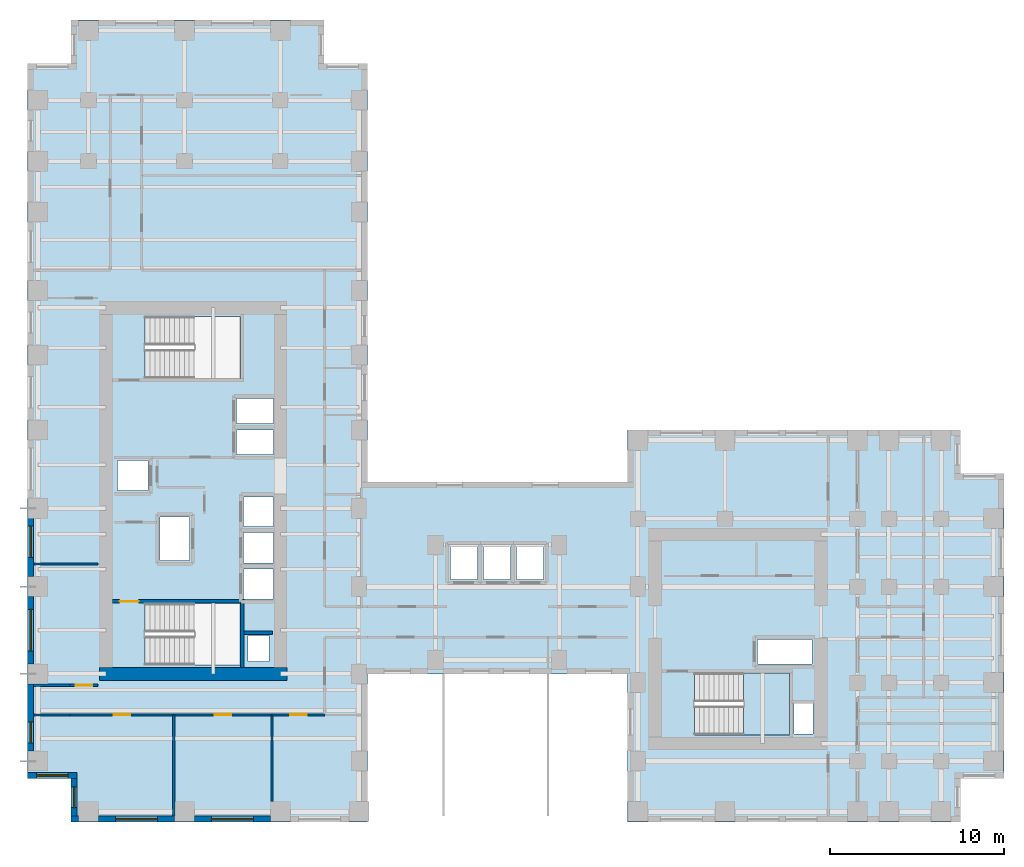
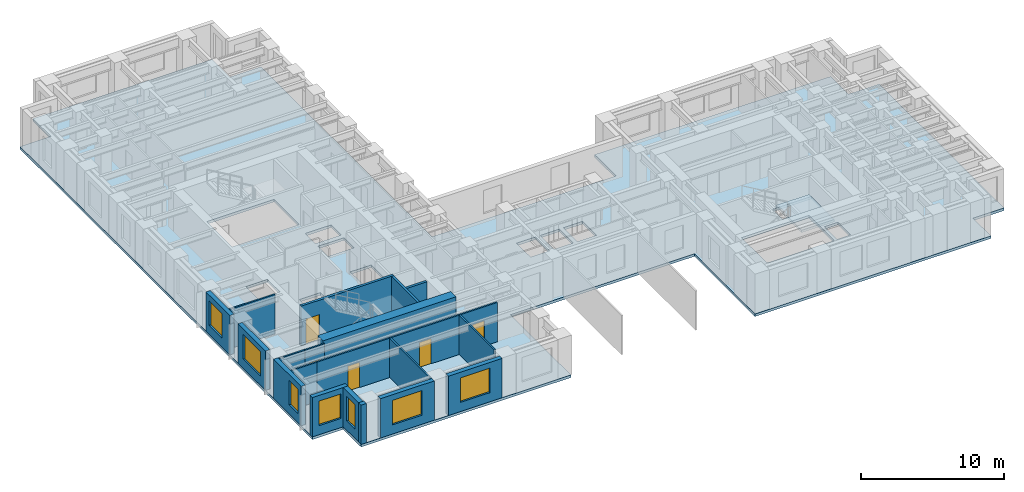
# One storey, part 3 of 11: 21 walls, 7 windows, 5 doors, 2 slabs, 12 openings, 1 element without a shape of its own.
"""IFC4 building model written with IfcOpenShell, lengths in metres."""

from ifc_helpers import new_model, si_unit, direction, frame, frame_2d, origin, place, context, subcontext, project, spatial, polyline, rectangle, outline, extrude, source, transform, mapped, material, layer, layer_set, type_object, element, fill, aggregate, save


model = new_model("IFC4")

# Units and contexts
model_context = context("Model", 3, precision=1e-05, world=origin(), true_north=direction((0.0, 1.0)))
body_context = subcontext(model_context, "Body", "Model", "MODEL_VIEW")
ifc_project = project(units=[si_unit("LENGTHUNIT", "METRE"), si_unit("AREAUNIT", "SQUARE_METRE"), si_unit("VOLUMEUNIT", "CUBIC_METRE"), si_unit("PLANEANGLEUNIT", "RADIAN"), si_unit("MASSUNIT", "GRAM", prefix="KILO")], contexts=[model_context])

# Site, building, storey
site_placement = place(None, origin())
site = spatial("IfcSite", under=ifc_project, at=site_placement, CompositionType="ELEMENT")
building_placement = place(site_placement, origin())
building = spatial("IfcBuilding", under=site, at=building_placement, Name="Kharzan Plaza Tower", CompositionType="ELEMENT")
storey_placement = place(building_placement, frame((0.0, 0.0, 120.60009765625)))
storey = spatial("IfcBuildingStorey", under=building, at=storey_placement, Name="L32", CompositionType="ELEMENT", Elevation=120.60009765625)

# Slab
ifc_material_1 = material(Name="Concrete C40/50", Category="concrete")
ifc_layer_1 = layer(ifc_material_1, 0.219970703125)
ifc_layer_set_1 = layer_set([ifc_layer_1], Name="Concrete C40/50")
slab_type_1 = type_object("IfcSlabType", Name="SL-FLOOR-220", PredefinedType="FLOOR", material=ifc_layer_set_1)
slab_1_placement = place(storey_placement, frame((0.0, 0.0, -0.22021484375)))
element("IfcSlab", 1, at=slab_1_placement, inside=storey, type_object=slab_type_1, Name="L32 Composite Structural Floor Slab 220 mm", PredefinedType="FLOOR", context=body_context, shape_type="SweptSolid", body=[
    extrude(outline(polyline([(34.39990234375, 19.5), (19.5, 19.5), (19.5, 43.5), (17.0, 43.5), (17.0, 46.0), (2.5, 46.0), (2.5, 43.5), (0.0, 43.5), (0.0, 2.5), (2.5, 2.5), (2.5, 0.0), (19.5, 0.0), (19.5, 8.5), (34.39990234375, 8.5), (34.39990234375, 0.0), (53.5, 0.0), (53.5, 2.5), (56.0, 2.5), (56.0, 20.0), (53.5, 20.0), (53.5, 22.5), (34.39990234375, 22.5), (34.39990234375, 19.5)]), holes=[polyline([(12.199951171875, 9.0), (12.199951171875, 12.550048828125), (6.75, 12.550048828125), (6.75, 9.0), (12.199951171875, 9.0)]), polyline([(14.10009765625, 12.800048828125), (14.10009765625, 14.530029296875), (12.39990234375, 14.530029296875), (12.39990234375, 12.800048828125), (14.10009765625, 12.800048828125)]), polyline([(14.10009765625, 14.8701171875), (14.10009765625, 16.60009765625), (12.39990234375, 16.60009765625), (12.39990234375, 14.8701171875), (14.10009765625, 14.8701171875)]), polyline([(9.300048828125, 15.0), (9.300048828125, 17.5), (7.60009765625, 17.5), (7.60009765625, 15.0), (9.300048828125, 15.0)]), polyline([(6.89990234375, 19.010009765625), (6.89990234375, 20.72998046875), (5.14990234375, 20.72998046875), (5.14990234375, 19.010009765625), (6.89990234375, 19.010009765625)]), polyline([(14.10009765625, 21.070068359375), (14.10009765625, 22.489990234375), (12.0, 22.489990234375), (12.0, 21.070068359375), (14.10009765625, 21.070068359375)]), polyline([(14.10009765625, 22.8701171875), (14.10009765625, 24.2900390625), (12.0, 24.2900390625), (12.0, 22.8701171875), (14.10009765625, 22.8701171875)]), polyline([(12.199951171875, 25.449951171875), (12.199951171875, 29.0), (6.75, 29.0), (6.75, 25.449951171875), (12.199951171875, 25.449951171875)]), polyline([(45.050048828125, 5.050048828125), (45.050048828125, 6.800048828125), (43.949951171875, 6.800048828125), (43.949951171875, 5.050048828125), (45.050048828125, 5.050048828125)]), polyline([(43.699951171875, 5.0), (43.699951171875, 8.550048828125), (38.25, 8.550048828125), (38.25, 5.0), (43.699951171875, 5.0)]), polyline([(45.0, 9.070068359375), (45.0, 10.469970703125), (41.85009765625, 10.469970703125), (41.85009765625, 9.070068359375), (45.0, 9.070068359375)]), polyline([(13.85009765625, 9.199951171875), (13.85009765625, 10.699951171875), (12.64990234375, 10.699951171875), (12.64990234375, 9.199951171875), (13.85009765625, 9.199951171875)]), polyline([(25.800048828125, 13.89990234375), (25.800048828125, 15.85009765625), (24.25, 15.85009765625), (24.25, 13.89990234375), (25.800048828125, 13.89990234375)]), polyline([(27.699951171875, 13.89990234375), (27.699951171875, 15.85009765625), (26.14990234375, 15.85009765625), (26.14990234375, 13.89990234375), (27.699951171875, 13.89990234375)]), polyline([(29.60009765625, 13.89990234375), (29.60009765625, 15.85009765625), (28.050048828125, 15.85009765625), (28.050048828125, 13.89990234375), (29.60009765625, 13.89990234375)]), polyline([(14.10009765625, 16.93994140625), (14.10009765625, 18.64990234375), (12.39990234375, 18.64990234375), (12.39990234375, 16.93994140625), (14.10009765625, 16.93994140625)])]), origin(), (0.0, 0.0, 1.0), 0.22021484375),
])

# Stair, slab
stair_type = type_object("IfcStairType", Name="STR-ST-3", PredefinedType="HALF_TURN_STAIR", material=ifc_material_1)
stair_placement = place(storey_placement, origin())
stair = element("IfcStair", 2, at=stair_placement, inside=storey, type_object=stair_type, Name="L32 Protected Exit Stair ST-3", PredefinedType="HALF_TURN_STAIR")
ifc_layer_2 = layer(ifc_material_1, 0.219970703125)
ifc_layer_set_2 = layer_set([ifc_layer_2], Name="Concrete C40/50")
slab_type_2 = type_object("IfcSlabType", Name="SL-LANDING-220", PredefinedType="LANDING", material=ifc_layer_set_2)
slab_2_placement = place(storey_placement, frame((0.0, 0.0, 1.599853515625)))
slab_2 = element("IfcSlab", 3, at=slab_2_placement, type_object=slab_type_2, Name="ST-3 landing 1", PredefinedType="LANDING", context=body_context, shape_type="SweptSolid", body=[
    extrude(outline(polyline([(41.050048828125, 5.0), (43.699951171875, 5.0), (43.699951171875, 8.550048828125), (41.050048828125, 8.550048828125), (41.050048828125, 5.0)])), origin(), (0.0, 0.0, 1.0), 0.199951171875),
])
aggregate(stair, [slab_2])

# Wall, opening, window
ifc_layer_3 = layer(ifc_material_1, 0.35009765625)
ifc_layer_set_3 = layer_set([ifc_layer_3], Name="Concrete C40/50")
wall_type_1 = type_object("IfcWallType", Name="WL-EXT-MAS-Z2", PredefinedType="SOLIDWALL", material=ifc_layer_set_3)
wall_1_placement = place(storey_placement, frame((0.175048828125, 17.427001953125, 0.0), z_axis=(0.0, 0.0, 1.0), x_axis=(0.0, -1.0, 0.0)))
wall_1 = element("IfcWall", 4, at=wall_1_placement, inside=storey, type_object=wall_type_1, Name="L32 Masonry-Frame Exterior Wall 23", PredefinedType="SOLIDWALL", context=body_context, shape_type="SweptSolid", body=[
    extrude(rectangle(XDim=3.35400390625, YDim=0.35009765625, at=frame_2d((1.677001953125, 0.0))), origin(), (0.0, 0.0, 1.0), 3.364990234375),
])
opening_1_placement = place(wall_1_placement, frame((0.448486328125, 0.0, 0.780029296875)))
opening_1 = element("IfcOpeningElement", 5, at=opening_1_placement, cuts=wall_1, Name="Opening W1", PredefinedType="OPENING", context=body_context, shape_type="SweptSolid", body=[
    extrude(rectangle(XDim=1.800048828125, YDim=2.10009765625, at=frame_2d((0.89990234375, 1.050048828125))), frame((0.0, 0.18505859375, 0.0), z_axis=(0.0, -1.0, 0.0), x_axis=(1.0, 0.0, 0.0)), (0.0, 0.0, 1.0), 0.3701171875),
])
ifc_material_2 = material(Name="Low-E Double Glazing", Category="glass")
window_type_1 = type_object("IfcWindowType", Name="WN-REC-1800x2100", PartitioningType="SINGLE_PANEL", PredefinedType="WINDOW", material=ifc_material_2)
shared_shape_1 = source(origin(), body_context, "Body", "SweptSolid", [
    extrude(rectangle(XDim=1.800048828125, YDim=2.10009765625, at=frame_2d((0.89990234375, 1.050048828125))), frame((0.0, 0.030029296875, 0.0), z_axis=(0.0, -1.0, 0.0), x_axis=(1.0, 0.0, 0.0)), (0.0, 0.0, 1.0), 0.06005859375),
])
window_1_placement = place(opening_1_placement, origin())
window_1 = element("IfcWindow", 6, at=window_1_placement, inside=storey, type_object=window_type_1, Name="L32 Recessed Solar-Control Window 23-1", OverallHeight=2.10009765625, OverallWidth=1.800048828125, PartitioningType="SINGLE_PANEL", PredefinedType="WINDOW", context=body_context, shape_type="MappedRepresentation", body=[
    mapped(shared_shape_1, transform((0.0, 0.0, 0.0), x_axis=(1.0, 0.0, 0.0), y_axis=(0.0, 1.0, 0.0), z_axis=(0.0, 0.0, 1.0))),
])
fill(opening_1, window_1)

wall_2_placement = place(storey_placement, frame((0.175048828125, 12.927001953125, 0.0), z_axis=(0.0, 0.0, 1.0), x_axis=(0.0, -1.0, 0.0)))
wall_2 = element("IfcWall", 7, at=wall_2_placement, inside=storey, type_object=wall_type_1, Name="L32 Masonry-Frame Exterior Wall 24", PredefinedType="SOLIDWALL", context=body_context, shape_type="SweptSolid", body=[
    extrude(rectangle(XDim=3.85400390625, YDim=0.35009765625, at=frame_2d((1.927001953125, 0.0))), origin(), (0.0, 0.0, 1.0), 3.364990234375),
])
opening_2_placement = place(wall_2_placement, frame((0.72705078125, 0.0, 0.780029296875)))
opening_2 = element("IfcOpeningElement", 8, at=opening_2_placement, cuts=wall_2, Name="Opening W2", PredefinedType="OPENING", context=body_context, shape_type="SweptSolid", body=[
    extrude(rectangle(XDim=2.39990234375, YDim=2.10009765625, at=frame_2d((1.199951171875, 1.050048828125))), frame((0.0, 0.18505859375, 0.0), z_axis=(0.0, -1.0, 0.0), x_axis=(1.0, 0.0, 0.0)), (0.0, 0.0, 1.0), 0.3701171875),
])
window_type_2 = type_object("IfcWindowType", Name="WN-REC-2400x2100", PartitioningType="SINGLE_PANEL", PredefinedType="WINDOW", material=ifc_material_2)
shared_shape_2 = source(origin(), body_context, "Body", "SweptSolid", [
    extrude(rectangle(XDim=2.39990234375, YDim=2.10009765625, at=frame_2d((1.199951171875, 1.050048828125))), frame((0.0, 0.030029296875, 0.0), z_axis=(0.0, -1.0, 0.0), x_axis=(1.0, 0.0, 0.0)), (0.0, 0.0, 1.0), 0.06005859375),
])
window_2_placement = place(opening_2_placement, origin())
window_2 = element("IfcWindow", 9, at=window_2_placement, inside=storey, type_object=window_type_2, Name="L32 Wide Recessed Solar-Control Window 24-1", OverallHeight=2.10009765625, OverallWidth=2.39990234375, PartitioningType="SINGLE_PANEL", PredefinedType="WINDOW", context=body_context, shape_type="MappedRepresentation", body=[
    mapped(shared_shape_2, transform((0.0, 0.0, 0.0), x_axis=(1.0, 0.0, 0.0), y_axis=(0.0, 1.0, 0.0), z_axis=(0.0, 0.0, 1.0))),
])
fill(opening_2, window_2)

wall_3_placement = place(storey_placement, frame((0.175048828125, 7.927001953125, 0.0), z_axis=(0.0, 0.0, 1.0), x_axis=(0.0, -1.0, 0.0)))
wall_3 = element("IfcWall", 10, at=wall_3_placement, inside=storey, type_object=wall_type_1, Name="L32 Masonry-Frame Exterior Wall 25", PredefinedType="SOLIDWALL", context=body_context, shape_type="SweptSolid", body=[
    extrude(rectangle(XDim=3.85400390625, YDim=0.35009765625, at=frame_2d((1.927001953125, 0.0))), origin(), (0.0, 0.0, 1.0), 3.364990234375),
])
opening_3_placement = place(wall_3_placement, frame((2.180419921875, 0.0, 0.780029296875)))
opening_3 = element("IfcOpeningElement", 11, at=opening_3_placement, cuts=wall_3, Name="Opening W3", PredefinedType="OPENING", context=body_context, shape_type="SweptSolid", body=[
    extrude(rectangle(XDim=1.199951171875, YDim=2.10009765625, at=frame_2d((0.60009765625, 1.050048828125))), frame((0.0, 0.18505859375, 0.0), z_axis=(0.0, -1.0, 0.0), x_axis=(1.0, 0.0, 0.0)), (0.0, 0.0, 1.0), 0.3701171875),
])
window_type_3 = type_object("IfcWindowType", Name="WN-REC-1200x2100", PartitioningType="SINGLE_PANEL", PredefinedType="WINDOW", material=ifc_material_2)
shared_shape_3 = source(origin(), body_context, "Body", "SweptSolid", [
    extrude(rectangle(XDim=1.199951171875, YDim=2.10009765625, at=frame_2d((0.60009765625, 1.050048828125))), frame((0.0, 0.030029296875, 0.0), z_axis=(0.0, -1.0, 0.0), x_axis=(1.0, 0.0, 0.0)), (0.0, 0.0, 1.0), 0.06005859375),
])
window_3_placement = place(opening_3_placement, origin())
window_3 = element("IfcWindow", 12, at=window_3_placement, inside=storey, type_object=window_type_3, Name="L32 Recessed Solar-Control Window 25-1", OverallHeight=2.10009765625, OverallWidth=1.199951171875, PartitioningType="SINGLE_PANEL", PredefinedType="WINDOW", context=body_context, shape_type="MappedRepresentation", body=[
    mapped(shared_shape_3, transform((0.0, 0.0, 0.0), x_axis=(1.0, 0.0, 0.0), y_axis=(0.0, 1.0, 0.0), z_axis=(0.0, 0.0, 1.0))),
])
fill(opening_3, window_3)

wall_4_placement = place(storey_placement, frame((0.0, 2.675048828125, 0.0), z_axis=(0.0, 0.0, 1.0), x_axis=(1.0, 0.0, 0.0)))
wall_4 = element("IfcWall", 13, at=wall_4_placement, inside=storey, type_object=wall_type_1, Name="L32 Masonry-Frame Exterior Wall 26", PredefinedType="SOLIDWALL", context=body_context, shape_type="SweptSolid", body=[
    extrude(rectangle(XDim=2.85009765625, YDim=0.35009765625, at=frame_2d((1.425048828125, 0.0))), origin(), (0.0, 0.0, 1.0), 3.364990234375),
])
opening_4_placement = place(wall_4_placement, frame((0.52490234375, 0.0, 0.780029296875)))
opening_4 = element("IfcOpeningElement", 14, at=opening_4_placement, cuts=wall_4, Name="Opening W1", PredefinedType="OPENING", context=body_context, shape_type="SweptSolid", body=[
    extrude(rectangle(XDim=1.800048828125, YDim=2.10009765625, at=frame_2d((0.89990234375, 1.050048828125))), frame((0.0, 0.18505859375, 0.0), z_axis=(0.0, -1.0, 0.0), x_axis=(1.0, 0.0, 0.0)), (0.0, 0.0, 1.0), 0.3701171875),
])
window_4_placement = place(opening_4_placement, origin())
window_4 = element("IfcWindow", 15, at=window_4_placement, inside=storey, type_object=window_type_1, Name="L32 Recessed Solar-Control Window 26-1", OverallHeight=2.10009765625, OverallWidth=1.800048828125, PartitioningType="SINGLE_PANEL", PredefinedType="WINDOW", context=body_context, shape_type="MappedRepresentation", body=[
    mapped(shared_shape_1, transform((0.0, 0.0, 0.0), x_axis=(1.0, 0.0, 0.0), y_axis=(0.0, 1.0, 0.0), z_axis=(0.0, 0.0, 1.0))),
])
fill(opening_4, window_4)

wall_5_placement = place(storey_placement, frame((2.675048828125, 2.501953125, 0.0), z_axis=(0.0, 0.0, 1.0), x_axis=(0.0, -1.0, 0.0)))
wall_5 = element("IfcWall", 16, at=wall_5_placement, inside=storey, type_object=wall_type_1, Name="L32 Masonry-Frame Exterior Wall 27", PredefinedType="SOLIDWALL", context=body_context, shape_type="SweptSolid", body=[
    extrude(rectangle(XDim=2.154052734375, YDim=0.35009765625, at=frame_2d((1.0771484375, 0.0))), origin(), (0.0, 0.0, 1.0), 3.364990234375),
])
opening_5_placement = place(wall_5_placement, frame((0.47705078125, 0.0, 0.780029296875)))
opening_5 = element("IfcOpeningElement", 17, at=opening_5_placement, cuts=wall_5, Name="Opening W3", PredefinedType="OPENING", context=body_context, shape_type="SweptSolid", body=[
    extrude(rectangle(XDim=1.199951171875, YDim=2.10009765625, at=frame_2d((0.60009765625, 1.050048828125))), frame((0.0, 0.18505859375, 0.0), z_axis=(0.0, -1.0, 0.0), x_axis=(1.0, 0.0, 0.0)), (0.0, 0.0, 1.0), 0.3701171875),
])
window_5_placement = place(opening_5_placement, origin())
window_5 = element("IfcWindow", 18, at=window_5_placement, inside=storey, type_object=window_type_3, Name="L32 Recessed Solar-Control Window 27-1", OverallHeight=2.10009765625, OverallWidth=1.199951171875, PartitioningType="SINGLE_PANEL", PredefinedType="WINDOW", context=body_context, shape_type="MappedRepresentation", body=[
    mapped(shared_shape_3, transform((0.0, 0.0, 0.0), x_axis=(1.0, 0.0, 0.0), y_axis=(0.0, 1.0, 0.0), z_axis=(0.0, 0.0, 1.0))),
])
fill(opening_5, window_5)

wall_6_placement = place(storey_placement, frame((4.072998046875, 0.175048828125, 0.0), z_axis=(0.0, 0.0, 1.0), x_axis=(1.0, 0.0, 0.0)))
wall_6 = element("IfcWall", 19, at=wall_6_placement, inside=storey, type_object=wall_type_1, Name="L32 Masonry-Frame Exterior Wall 29", PredefinedType="SOLIDWALL", context=body_context, shape_type="SweptSolid", body=[
    extrude(rectangle(XDim=4.35400390625, YDim=0.35009765625, at=frame_2d((2.177001953125, 0.0))), origin(), (0.0, 0.0, 1.0), 3.364990234375),
])
opening_6_placement = place(wall_6_placement, frame((0.97705078125, 0.0, 0.780029296875)))
opening_6 = element("IfcOpeningElement", 20, at=opening_6_placement, cuts=wall_6, Name="Opening W2", PredefinedType="OPENING", context=body_context, shape_type="SweptSolid", body=[
    extrude(rectangle(XDim=2.39990234375, YDim=2.10009765625, at=frame_2d((1.199951171875, 1.050048828125))), frame((0.0, 0.18505859375, 0.0), z_axis=(0.0, -1.0, 0.0), x_axis=(1.0, 0.0, 0.0)), (0.0, 0.0, 1.0), 0.3701171875),
])
window_6_placement = place(opening_6_placement, origin())
window_6 = element("IfcWindow", 21, at=window_6_placement, inside=storey, type_object=window_type_2, Name="L32 Wide Recessed Solar-Control Window 29-1", OverallHeight=2.10009765625, OverallWidth=2.39990234375, PartitioningType="SINGLE_PANEL", PredefinedType="WINDOW", context=body_context, shape_type="MappedRepresentation", body=[
    mapped(shared_shape_2, transform((0.0, 0.0, 0.0), x_axis=(1.0, 0.0, 0.0), y_axis=(0.0, 1.0, 0.0), z_axis=(0.0, 0.0, 1.0))),
])
fill(opening_6, window_6)

wall_7_placement = place(storey_placement, frame((9.572998046875, 0.175048828125, 0.0), z_axis=(0.0, 0.0, 1.0), x_axis=(1.0, 0.0, 0.0)))
wall_7 = element("IfcWall", 22, at=wall_7_placement, inside=storey, type_object=wall_type_1, Name="L32 Masonry-Frame Exterior Wall 30", PredefinedType="SOLIDWALL", context=body_context, shape_type="SweptSolid", body=[
    extrude(rectangle(XDim=4.35400390625, YDim=0.35009765625, at=frame_2d((2.177001953125, 0.0))), origin(), (0.0, 0.0, 1.0), 3.364990234375),
])
opening_7_placement = place(wall_7_placement, frame((0.97705078125, 0.0, 0.780029296875)))
opening_7 = element("IfcOpeningElement", 23, at=opening_7_placement, cuts=wall_7, Name="Opening W2", PredefinedType="OPENING", context=body_context, shape_type="SweptSolid", body=[
    extrude(rectangle(XDim=2.39990234375, YDim=2.10009765625, at=frame_2d((1.199951171875, 1.050048828125))), frame((0.0, 0.18505859375, 0.0), z_axis=(0.0, -1.0, 0.0), x_axis=(1.0, 0.0, 0.0)), (0.0, 0.0, 1.0), 0.3701171875),
])
window_7_placement = place(opening_7_placement, origin())
window_7 = element("IfcWindow", 24, at=window_7_placement, inside=storey, type_object=window_type_2, Name="L32 Wide Recessed Solar-Control Window 30-1", OverallHeight=2.10009765625, OverallWidth=2.39990234375, PartitioningType="SINGLE_PANEL", PredefinedType="WINDOW", context=body_context, shape_type="MappedRepresentation", body=[
    mapped(shared_shape_2, transform((0.0, 0.0, 0.0), x_axis=(1.0, 0.0, 0.0), y_axis=(0.0, 1.0, 0.0), z_axis=(0.0, 0.0, 1.0))),
])
fill(opening_7, window_7)

# Wall, opening, door
ifc_material_3 = material(Name="Fire-Rated Gypsum Board Partition", Category="gypsum")
ifc_layer_4 = layer(ifc_material_3, 0.125)
ifc_layer_set_4 = layer_set([ifc_layer_4], Name="Fire-Rated Gypsum Board Partition")
wall_type_2 = type_object("IfcWallType", Name="WL-INT-PART-125", PredefinedType="PARTITIONING", material=ifc_layer_set_4)
wall_8_placement = place(storey_placement, frame((2.449951171875, 7.85009765625, 0.0), z_axis=(0.0, 0.0, 1.0), x_axis=(1.0, 0.0, 0.0)))
wall_8 = element("IfcWall", 25, at=wall_8_placement, inside=storey, type_object=wall_type_2, Name="L32 Interior Partition SH-RWSD", PredefinedType="PARTITIONING", context=body_context, shape_type="SweptSolid", body=[
    extrude(rectangle(XDim=1.60009765625, YDim=0.125, at=frame_2d((0.800048828125, 0.0))), origin(), (0.0, 0.0, 1.0), 3.364990234375),
])
opening_8_placement = place(wall_8_placement, frame((0.324951171875, 0.0, 0.0)))
opening_8 = element("IfcOpeningElement", 26, at=opening_8_placement, cuts=wall_8, Name="Opening OD1", PredefinedType="OPENING", context=body_context, shape_type="SweptSolid", body=[
    extrude(rectangle(XDim=0.949951171875, YDim=2.14990234375, at=frame_2d((0.47509765625, 1.074951171875))), frame((0.0, 0.072509765625, 0.0), z_axis=(0.0, -1.0, 0.0), x_axis=(1.0, 0.0, 0.0)), (0.0, 0.0, 1.0), 0.14501953125),
])
ifc_material_4 = material(Name="Acoustic Solid-Core Stained Oak", Category="timber")
door_type_1 = type_object("IfcDoorType", Name="DR-OFF-SINGLE", OperationType="NOTDEFINED", PredefinedType="DOOR", material=ifc_material_4)
shared_shape_4 = source(origin(), body_context, "Body", "SweptSolid", [
    extrude(rectangle(XDim=0.949951171875, YDim=2.14990234375, at=frame_2d((0.47509765625, 1.074951171875))), frame((0.0, 0.02490234375, 0.0), z_axis=(0.0, -1.0, 0.0), x_axis=(1.0, 0.0, 0.0)), (0.0, 0.0, 1.0), 0.050048828125),
])
door_1_placement = place(opening_8_placement, origin())
door_1 = element("IfcDoor", 27, at=door_1_placement, inside=storey, type_object=door_type_1, Name="L32 West Office 1 Door", OperationType="SINGLE_SWING_RIGHT", OverallHeight=2.14990234375, OverallWidth=0.949951171875, PredefinedType="DOOR", context=body_context, shape_type="MappedRepresentation", body=[
    mapped(shared_shape_4, transform((0.0, 0.0, 0.0), x_axis=(1.0, 0.0, 0.0), y_axis=(0.0, 1.0, 0.0), z_axis=(0.0, 0.0, 1.0))),
])
fill(opening_8, door_1)

wall_9_placement = place(storey_placement, frame((2.449951171875, 6.14990234375, 0.0), z_axis=(0.0, 0.0, 1.0), x_axis=(1.0, 0.0, 0.0)))
wall_9 = element("IfcWall", 28, at=wall_9_placement, inside=storey, type_object=wall_type_2, Name="L32 Interior Partition SH-SS-1", PredefinedType="PARTITIONING", context=body_context, shape_type="SweptSolid", body=[
    extrude(rectangle(XDim=5.942138671875, YDim=0.125, at=frame_2d((2.97119140625, 0.0))), origin(), (0.0, 0.0, 1.0), 3.364990234375),
])
opening_9_placement = place(wall_9_placement, frame((2.49609375, 0.0, 0.0)))
opening_9 = element("IfcOpeningElement", 29, at=opening_9_placement, cuts=wall_9, Name="Opening OD1", PredefinedType="OPENING", context=body_context, shape_type="SweptSolid", body=[
    extrude(rectangle(XDim=0.949951171875, YDim=2.14990234375, at=frame_2d((0.47509765625, 1.074951171875))), frame((0.0, 0.072509765625, 0.0), z_axis=(0.0, -1.0, 0.0), x_axis=(1.0, 0.0, 0.0)), (0.0, 0.0, 1.0), 0.14501953125),
])
door_2_placement = place(opening_9_placement, origin())
door_2 = element("IfcDoor", 30, at=door_2_placement, inside=storey, type_object=door_type_1, Name="L32 Lab Safety Briefing Room Door", OperationType="SINGLE_SWING_RIGHT", OverallHeight=2.14990234375, OverallWidth=0.949951171875, PredefinedType="DOOR", context=body_context, shape_type="MappedRepresentation", body=[
    mapped(shared_shape_4, transform((0.0, 0.0, 0.0), x_axis=(1.0, 0.0, 0.0), y_axis=(0.0, 1.0, 0.0), z_axis=(0.0, 0.0, 1.0))),
])
fill(opening_9, door_2)

wall_10_placement = place(storey_placement, frame((8.39208984375, 6.14990234375, 0.0), z_axis=(0.0, 0.0, 1.0), x_axis=(1.0, 0.0, 0.0)))
wall_10 = element("IfcWall", 31, at=wall_10_placement, inside=storey, type_object=wall_type_2, Name="L32 Interior Partition SH-SS-2", PredefinedType="PARTITIONING", context=body_context, shape_type="SweptSolid", body=[
    extrude(rectangle(XDim=5.626953125, YDim=0.125, at=frame_2d((2.8134765625, 0.0))), origin(), (0.0, 0.0, 1.0), 3.364990234375),
])
opening_10_placement = place(wall_10_placement, frame((2.33837890625, 0.0, 0.0)))
opening_10 = element("IfcOpeningElement", 32, at=opening_10_placement, cuts=wall_10, Name="Opening OD1", PredefinedType="OPENING", context=body_context, shape_type="SweptSolid", body=[
    extrude(rectangle(XDim=0.949951171875, YDim=2.14990234375, at=frame_2d((0.47509765625, 1.074951171875))), frame((0.0, 0.072509765625, 0.0), z_axis=(0.0, -1.0, 0.0), x_axis=(1.0, 0.0, 0.0)), (0.0, 0.0, 1.0), 0.14501953125),
])
door_3_placement = place(opening_10_placement, origin())
door_3 = element("IfcDoor", 33, at=door_3_placement, inside=storey, type_object=door_type_1, Name="L32 Data Processing Office Door", OperationType="SINGLE_SWING_LEFT", OverallHeight=2.14990234375, OverallWidth=0.949951171875, PredefinedType="DOOR", context=body_context, shape_type="MappedRepresentation", body=[
    mapped(shared_shape_4, transform((0.0, 0.0, 0.0), x_axis=(1.0, 0.0, 0.0), y_axis=(0.0, 1.0, 0.0), z_axis=(0.0, 0.0, 1.0))),
])
fill(opening_10, door_3)

wall_11_placement = place(storey_placement, frame((14.01904296875, 6.14990234375, 0.0), z_axis=(0.0, 0.0, 1.0), x_axis=(1.0, 0.0, 0.0)))
wall_11 = element("IfcWall", 34, at=wall_11_placement, inside=storey, type_object=wall_type_2, Name="L32 Interior Partition SH-SS-3", PredefinedType="PARTITIONING", context=body_context, shape_type="SweptSolid", body=[
    extrude(rectangle(XDim=3.031005859375, YDim=0.125, at=frame_2d((1.515625, 0.0))), origin(), (0.0, 0.0, 1.0), 3.364990234375),
])
opening_11_placement = place(wall_11_placement, frame((1.04052734375, 0.0, 0.0)))
opening_11 = element("IfcOpeningElement", 35, at=opening_11_placement, cuts=wall_11, Name="Opening OD1", PredefinedType="OPENING", context=body_context, shape_type="SweptSolid", body=[
    extrude(rectangle(XDim=0.949951171875, YDim=2.14990234375, at=frame_2d((0.47509765625, 1.074951171875))), frame((0.0, 0.072509765625, 0.0), z_axis=(0.0, -1.0, 0.0), x_axis=(1.0, 0.0, 0.0)), (0.0, 0.0, 1.0), 0.14501953125),
])
door_4_placement = place(opening_11_placement, origin())
door_4 = element("IfcDoor", 36, at=door_4_placement, inside=storey, type_object=door_type_1, Name="L32 Staff Tea Pantry Door", OperationType="SINGLE_SWING_RIGHT", OverallHeight=2.14990234375, OverallWidth=0.949951171875, PredefinedType="DOOR", context=body_context, shape_type="MappedRepresentation", body=[
    mapped(shared_shape_4, transform((0.0, 0.0, 0.0), x_axis=(1.0, 0.0, 0.0), y_axis=(0.0, 1.0, 0.0), z_axis=(0.0, 0.0, 1.0))),
])
fill(opening_11, door_4)

ifc_material_5 = material(Name="Concrete C50/60", Category="concrete")
ifc_layer_5 = layer(ifc_material_5, 0.199951171875)
ifc_layer_set_5 = layer_set([ifc_layer_5], Name="Concrete C50/60")
wall_type_3 = type_object("IfcWallType", Name="WL-SHAFT-RC200", PredefinedType="SHEAR", material=ifc_layer_set_5)
wall_12_placement = place(storey_placement, frame((4.876953125, 12.655029296875, 0.0), z_axis=(0.0, 0.0, 1.0), x_axis=(1.0, 0.0, 0.0)))
wall_12 = element("IfcWall", 37, at=wall_12_placement, inside=storey, type_object=wall_type_3, Name="L32 Stair ST-1 North RC Shaft Wall", PredefinedType="SHEAR", context=body_context, shape_type="SweptSolid", body=[
    extrude(rectangle(XDim=7.528076171875, YDim=0.199951171875, at=frame_2d((3.76416015625, 0.0))), origin(), (0.0, 0.0, 1.0), 3.3798828125),
])
opening_12_placement = place(wall_12_placement, frame((0.39990234375, 0.0, 0.0)))
opening_12 = element("IfcOpeningElement", 38, at=opening_12_placement, cuts=wall_12, Name="Opening SD1", PredefinedType="OPENING", context=body_context, shape_type="SweptSolid", body=[
    extrude(rectangle(XDim=1.10009765625, YDim=2.14990234375, at=frame_2d((0.550048828125, 1.074951171875))), frame((0.0, 0.10986328125, 0.0), z_axis=(0.0, -1.0, 0.0), x_axis=(1.0, 0.0, 0.0)), (0.0, 0.0, 1.0), 0.219970703125),
])
ifc_material_6 = material(Name="Fire-Rated Hollow Galvanized Steel", Category="steel")
door_type_2 = type_object("IfcDoorType", Name="DR-STAIR-FD120", OperationType="NOTDEFINED", PredefinedType="DOOR", material=ifc_material_6)
shared_shape_5 = source(origin(), body_context, "Body", "SweptSolid", [
    extrude(rectangle(XDim=1.10009765625, YDim=2.14990234375, at=frame_2d((0.550048828125, 1.074951171875))), frame((0.0, 0.02490234375, 0.0), z_axis=(0.0, -1.0, 0.0), x_axis=(1.0, 0.0, 0.0)), (0.0, 0.0, 1.0), 0.050048828125),
])
door_5_placement = place(opening_12_placement, origin())
door_5 = element("IfcDoor", 39, at=door_5_placement, inside=storey, type_object=door_type_2, Name="L32 Stair ST-1 Fire Exit Door", OperationType="SINGLE_SWING_LEFT", OverallHeight=2.14990234375, OverallWidth=1.10009765625, PredefinedType="DOOR", context=body_context, shape_type="MappedRepresentation", body=[
    mapped(shared_shape_5, transform((0.0, 0.0, 0.0), x_axis=(1.0, 0.0, 0.0), y_axis=(0.0, 1.0, 0.0), z_axis=(0.0, 0.0, 1.0))),
])
fill(opening_12, door_5)

# Walls
shared_shape_6 = source(origin(), body_context, "Body", "SweptSolid", [
    extrude(rectangle(XDim=2.097900390625, YDim=0.125, at=frame_2d((1.048828125, 0.0))), origin(), (0.0, 0.0, 1.0), 3.364990234375),
])
for number, where, z_axis, x_axis, name in (
    (40, (0.35205078125, 7.85009765625, 0.0), (0.0, 0.0, 1.0), (1.0, 0.0, 0.0), "L32 Interior Partition SH-RWS0"),
    (41, (0.35205078125, 6.14990234375, 0.0), (0.0, 0.0, 1.0), (1.0, 0.0, 0.0), "L32 Interior Partition SH-SS-EXT"),
):
    element("IfcWall", number, at=place(storey_placement, frame(where, z_axis=z_axis, x_axis=x_axis)), inside=storey, type_object=wall_type_2, Name=name, PredefinedType="PARTITIONING", context=body_context, shape_type="MappedRepresentation", body=[
        mapped(shared_shape_6, transform((0.0, 0.0, 0.0), x_axis=(1.0, 0.0, 0.0), y_axis=(0.0, 1.0, 0.0), z_axis=(0.0, 0.0, 1.0))),
    ])
shared_shape_7 = source(origin(), body_context, "Body", "SweptSolid", [
    extrude(rectangle(XDim=5.7978515625, YDim=0.125, at=frame_2d((2.89892578125, 0.0))), origin(), (0.0, 0.0, 1.0), 3.364990234375),
])
wall_13_placement = place(storey_placement, frame((8.39208984375, 0.35205078125, 0.0), z_axis=(0.0, 0.0, 1.0), x_axis=(0.0, 1.0, 0.0)))
element("IfcWall", 42, at=wall_13_placement, inside=storey, type_object=wall_type_2, Name="L32 Interior Partition SH-SV-1", PredefinedType="PARTITIONING", context=body_context, shape_type="MappedRepresentation", body=[
    mapped(shared_shape_7, transform((0.0, 0.0, 0.0), x_axis=(1.0, 0.0, 0.0), y_axis=(0.0, 1.0, 0.0), z_axis=(0.0, 0.0, 1.0))),
])
shared_shape_8 = source(origin(), body_context, "Body", "SweptSolid", [
    extrude(rectangle(XDim=0.427001953125, YDim=0.35009765625, at=frame_2d((0.21337890625, 0.0))), origin(), (0.0, 0.0, 1.0), 3.364990234375),
])
wall_14_placement = place(storey_placement, frame((2.5, 0.175048828125, 0.0), z_axis=(0.0, 0.0, 1.0), x_axis=(1.0, 0.0, 0.0)))
element("IfcWall", 43, at=wall_14_placement, inside=storey, type_object=wall_type_1, Name="L32 Masonry-Frame Exterior Wall 28", PredefinedType="SOLIDWALL", context=body_context, shape_type="MappedRepresentation", body=[
    mapped(shared_shape_8, transform((0.0, 0.0, 0.0), x_axis=(1.0, 0.0, 0.0), y_axis=(0.0, 1.0, 0.0), z_axis=(0.0, 0.0, 1.0))),
])
shared_shape_9 = source(origin(), body_context, "Body", "SweptSolid", [
    extrude(rectangle(XDim=3.697998046875, YDim=0.125, at=frame_2d((1.84912109375, 0.0))), origin(), (0.0, 0.0, 1.0), 3.364990234375),
])
wall_15_placement = place(storey_placement, frame((0.35205078125, 14.800048828125, 0.0), z_axis=(0.0, 0.0, 1.0), x_axis=(1.0, 0.0, 0.0)))
element("IfcWall", 44, at=wall_15_placement, inside=storey, type_object=wall_type_2, Name="L32 Interior Partition SH-WMID", PredefinedType="PARTITIONING", context=body_context, shape_type="MappedRepresentation", body=[
    mapped(shared_shape_9, transform((0.0, 0.0, 0.0), x_axis=(1.0, 0.0, 0.0), y_axis=(0.0, 1.0, 0.0), z_axis=(0.0, 0.0, 1.0))),
])
ifc_layer_6 = layer(ifc_material_1, 0.199951171875)
ifc_layer_set_6 = layer_set([ifc_layer_6], Name="Concrete C40/50")
wall_type_4 = type_object("IfcWallType", Name="WL-INT-SHAFT-200", PredefinedType="PARTITIONING", material=ifc_layer_set_6)
shared_shape_10 = source(origin(), body_context, "Body", "SweptSolid", [
    extrude(rectangle(XDim=1.630126953125, YDim=0.199951171875, at=frame_2d((0.81494140625, 0.0))), origin(), (0.0, 0.0, 1.0), 3.364990234375),
])
wall_16_placement = place(storey_placement, frame((12.419921875, 10.85009765625, 0.0), z_axis=(0.0, 0.0, 1.0), x_axis=(1.0, 0.0, 0.0)))
element("IfcWall", 45, at=wall_16_placement, inside=storey, type_object=wall_type_4, Name="L32 Interior Partition CA-RSRA-N", PredefinedType="PARTITIONING", context=body_context, shape_type="MappedRepresentation", body=[
    mapped(shared_shape_10, transform((0.0, 0.0, 0.0), x_axis=(1.0, 0.0, 0.0), y_axis=(0.0, 1.0, 0.0), z_axis=(0.0, 0.0, 1.0))),
])
ifc_material_7 = material(Name="Concrete C60/75", Category="concrete")
ifc_layer_7 = layer(ifc_material_7, 0.75)
ifc_layer_set_7 = layer_set([ifc_layer_7], Name="Concrete C60/75")
wall_type_5 = type_object("IfcWallType", Name="WL-CORE-750", PredefinedType="SHEAR", material=ifc_layer_set_7)
shared_shape_11 = source(origin(), body_context, "Body", "SweptSolid", [
    extrude(rectangle(XDim=10.75, YDim=0.75, at=frame_2d((5.375, 0.0))), origin(), (0.0, 0.0, 1.0), 3.3798828125),
])
wall_17_placement = place(storey_placement, frame((4.125, 8.5, 0.0), z_axis=(0.0, 0.0, 1.0), x_axis=(1.0, 0.0, 0.0)))
element("IfcWall", 46, at=wall_17_placement, inside=storey, type_object=wall_type_5, Name="L32 CORE-A south RC shear wall", PredefinedType="SHEAR", context=body_context, shape_type="MappedRepresentation", body=[
    mapped(shared_shape_11, transform((0.0, 0.0, 0.0), x_axis=(1.0, 0.0, 0.0), y_axis=(0.0, 1.0, 0.0), z_axis=(0.0, 0.0, 1.0))),
])
shared_shape_12 = source(origin(), body_context, "Body", "SweptSolid", [
    extrude(rectangle(XDim=3.677978515625, YDim=0.199951171875, at=frame_2d((1.8388671875, 0.0))), origin(), (0.0, 0.0, 1.0), 3.3798828125),
])
wall_18_placement = place(storey_placement, frame((12.304931640625, 8.876953125, 0.0), z_axis=(0.0, 0.0, 1.0), x_axis=(0.0, 1.0, 0.0)))
element("IfcWall", 47, at=wall_18_placement, inside=storey, type_object=wall_type_3, Name="L32 Stair ST-1 East RC Shaft Wall", PredefinedType="SHEAR", context=body_context, shape_type="MappedRepresentation", body=[
    mapped(shared_shape_12, transform((0.0, 0.0, 0.0), x_axis=(1.0, 0.0, 0.0), y_axis=(0.0, 1.0, 0.0), z_axis=(0.0, 0.0, 1.0))),
])
shared_shape_13 = source(origin(), body_context, "Body", "SweptSolid", [
    extrude(rectangle(XDim=4.9599609375, YDim=0.125, at=frame_2d((2.47998046875, 0.0))), origin(), (0.0, 0.0, 1.0), 3.364990234375),
])
wall_19_placement = place(storey_placement, frame((14.01904296875, 1.18994140625, 0.0), z_axis=(0.0, 0.0, 1.0), x_axis=(0.0, 1.0, 0.0)))
element("IfcWall", 48, at=wall_19_placement, inside=storey, type_object=wall_type_2, Name="L32 Interior Partition SH-SV-2", PredefinedType="PARTITIONING", context=body_context, shape_type="MappedRepresentation", body=[
    mapped(shared_shape_13, transform((0.0, 0.0, 0.0), x_axis=(1.0, 0.0, 0.0), y_axis=(0.0, 1.0, 0.0), z_axis=(0.0, 0.0, 1.0))),
])

save(model, "model.ifc")
